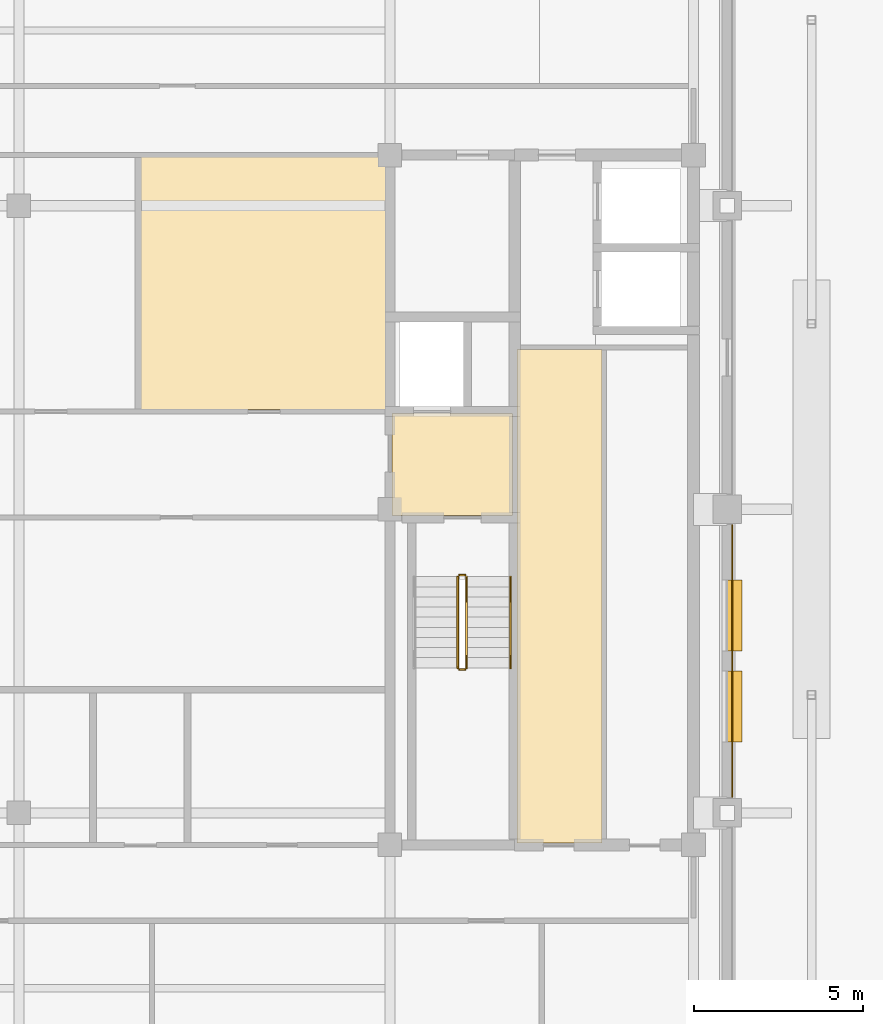
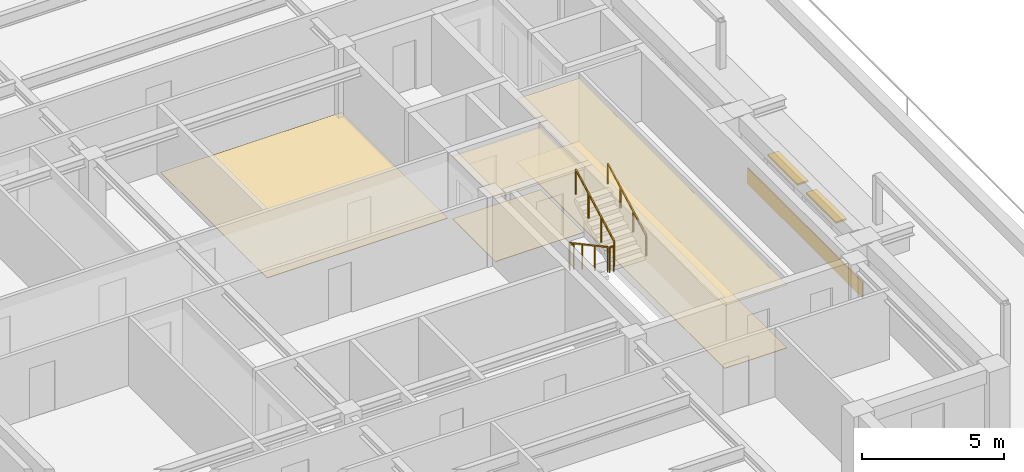
# One storey, part 13 of 14: 6 coverings, 5 railings, 2 shading devices.
"""IFC4 building model written with IfcOpenShell, lengths in metres."""

from ifc_helpers import new_model, si_unit, direction, frame, frame_2d, origin, origin_2d, place, context, subcontext, project, spatial, polyline, rectangle, outline, extrude, material, layer, layer_set, type_object, element, save


model = new_model("IFC4")

# Units and contexts
model_context = context("Model", 3, precision=1e-05, world=origin(), true_north=direction((0.0, 1.0)))
body_context = subcontext(model_context, "Body", "Model", "MODEL_VIEW")
ifc_project = project(units=[si_unit("LENGTHUNIT", "METRE"), si_unit("AREAUNIT", "SQUARE_METRE"), si_unit("VOLUMEUNIT", "CUBIC_METRE"), si_unit("PLANEANGLEUNIT", "RADIAN"), si_unit("MASSUNIT", "GRAM", prefix="KILO")], contexts=[model_context])

# Site, building, storey
site_placement = place(None, origin())
site = spatial("IfcSite", under=ifc_project, at=site_placement, CompositionType="ELEMENT")
building_placement = place(site_placement, origin())
building = spatial("IfcBuilding", under=site, at=building_placement, Name="Zulmaris Gate Convention Tower", CompositionType="ELEMENT")
storey_placement = place(building_placement, frame((0.0, 0.0, 254.429931640625)))
storey = spatial("IfcBuildingStorey", under=building, at=storey_placement, Name="L67", CompositionType="ELEMENT", Elevation=254.429931640625)

# Coverings
ifc_material_1 = material(Name="Precast concrete C40/50", Category="concrete")
ifc_layer_1 = layer(ifc_material_1, 0.0400390625, Name="Precast concrete C40/50")
ifc_layer_set_1 = layer_set([ifc_layer_1], Name="Precast concrete C40/50")
covering_type_1 = type_object("IfcCoveringType", Name="CLAD-SPANDREL-PRECAST", PredefinedType="CLADDING", material=ifc_layer_set_1)
covering_1_placement = place(storey_placement, frame((21.14990234375, -8.544921875, 0.0), z_axis=(0.0, 0.0, 1.0), x_axis=(0.0, 1.0, 0.0)))
element("IfcCovering", 1, at=covering_1_placement, inside=storey, type_object=covering_type_1, Name="CLD-L67-E-1_0", PredefinedType="CLADDING", context=body_context, shape_type="SweptSolid", body=[
    extrude(rectangle(XDim=8.08984375, YDim=0.0400390625, at=frame_2d((4.044921875, 0.0))), origin(), (0.0, 0.0, 1.0), 0.679931640625),
])
ifc_material_2 = material(Name="Mineral Fibre Acoustic Ceiling Tile")
ifc_layer_2 = layer(ifc_material_2, 0.02001953125, Name="Mineral Fibre Acoustic Ceiling Tile")
ifc_layer_set_2 = layer_set([ifc_layer_2], Name="Mineral Fibre Acoustic Ceiling Tile")
covering_type_2 = type_object("IfcCoveringType", Name="CLG-ACOUSTIC-600", PredefinedType="CEILING", material=ifc_layer_set_2)
covering_2_placement = place(storey_placement, frame((0.0, 0.0, 2.699951171875)))
element("IfcCovering", 2, at=covering_2_placement, inside=storey, type_object=covering_type_2, Name="CLG-L67-R08", PredefinedType="CEILING", context=body_context, shape_type="SweptSolid", body=[
    extrude(outline(polyline([(11.06005859375, -0.18994140625), (14.639892578125, -0.18994140625), (14.639892578125, 2.840087890625), (11.06005859375, 2.840087890625), (11.06005859375, -0.18994140625)])), origin(), (0.0, 0.0, 1.0), 0.02001953125),
])
covering_3_placement = place(storey_placement, frame((0.0, 0.0, 2.699951171875)))
element("IfcCovering", 3, at=covering_3_placement, inside=storey, type_object=covering_type_2, Name="CLG-L67-R24", PredefinedType="CEILING", context=body_context, shape_type="SweptSolid", body=[
    extrude(outline(polyline([(14.760009765625, -9.889892578125), (17.2900390625, -9.889892578125), (17.2900390625, 4.739990234375), (14.760009765625, 4.739990234375), (14.760009765625, -9.889892578125)])), origin(), (0.0, 0.0, 1.0), 0.02001953125),
])
ifc_material_3 = material(Name="Woven Acoustic Wool Carpet Tile")
ifc_layer_3 = layer(ifc_material_3, 0.02001953125, Name="Woven Acoustic Wool Carpet Tile")
ifc_layer_set_3 = layer_set([ifc_layer_3], Name="Woven Acoustic Wool Carpet Tile")
covering_type_3 = type_object("IfcCoveringType", Name="FLR-CARPET-12", PredefinedType="FLOORING", material=ifc_layer_set_3)
covering_4_placement = place(storey_placement, origin())
element("IfcCovering", 4, at=covering_4_placement, inside=storey, type_object=covering_type_3, Name="FLR-L67-R08", PredefinedType="FLOORING", context=body_context, shape_type="SweptSolid", body=[
    extrude(outline(polyline([(11.06005859375, -0.18994140625), (14.639892578125, -0.18994140625), (14.639892578125, 2.840087890625), (11.06005859375, 2.840087890625), (11.06005859375, -0.18994140625)])), origin(), (0.0, 0.0, 1.0), 0.02001953125),
])
covering_5_placement = place(storey_placement, origin())
element("IfcCovering", 5, at=covering_5_placement, inside=storey, type_object=covering_type_3, Name="FLR-L67-R24", PredefinedType="FLOORING", context=body_context, shape_type="SweptSolid", body=[
    extrude(outline(polyline([(14.760009765625, -9.889892578125), (17.2900390625, -9.889892578125), (17.2900390625, 4.739990234375), (14.760009765625, 4.739990234375), (14.760009765625, -9.889892578125)])), origin(), (0.0, 0.0, 1.0), 0.02001953125),
])
covering_6_placement = place(storey_placement, origin())
element("IfcCovering", 6, at=covering_6_placement, inside=storey, type_object=covering_type_3, Name="FLR-L67-R43", PredefinedType="FLOORING", context=body_context, shape_type="SweptSolid", body=[
    extrude(outline(polyline([(3.60009765625, 2.9599609375), (10.93994140625, 2.9599609375), (10.93994140625, 10.43994140625), (3.60009765625, 10.43994140625), (3.60009765625, 2.9599609375)])), origin(), (0.0, 0.0, 1.0), 0.02001953125),
])

# Railings
ifc_material_4 = material(Name="Painted Galvanised Steel", Category="steel")
railing_type_1 = type_object("IfcRailingType", Name="RL-STG-1150", PredefinedType="GUARDRAIL", material=ifc_material_4)
railing_1_placement = place(storey_placement, frame((13.010009765625, -2.0, 0.161376953125)))
element("IfcRailing", 7, at=railing_1_placement, inside=storey, type_object=railing_type_1, Name="L67 ST-2 stair guard 1", PredefinedType="GUARDRAIL", context=body_context, shape_type="SweptSolid", body=[
    extrude(rectangle(XDim=0.048095703125, YDim=0.048095703125, at=origin_2d()), frame((0.0, 0.0, 1.076171875), z_axis=(0.0, -0.880499220447, 0.474047595492), x_axis=(1.0, 0.0, 0.0)), (0.0, 0.0, 1.0), 3.06640625),
    extrude(rectangle(XDim=0.0419921875, YDim=0.0419921875, at=origin_2d()), origin(), (0.0, 0.0, 1.0), 1.052001953125),
    extrude(rectangle(XDim=0.0419921875, YDim=0.0419921875, at=origin_2d()), frame((0.0, -0.89990234375, 0.484619140625)), (0.0, 0.0, 1.0), 1.052001953125),
    extrude(rectangle(XDim=0.0419921875, YDim=0.0419921875, at=origin_2d()), frame((0.0, -1.800048828125, 0.968994140625)), (0.0, 0.0, 1.0), 1.052001953125),
    extrude(rectangle(XDim=0.0419921875, YDim=0.0419921875, at=origin_2d()), frame((0.0, -2.699951171875, 1.45361328125)), (0.0, 0.0, 1.0), 1.052001953125),
])
railing_2_placement = place(storey_placement, frame((13.06005859375, -4.75, 1.614990234375)))
element("IfcRailing", 8, at=railing_2_placement, inside=storey, type_object=railing_type_1, Name="L67 ST-2 stair guard 2", PredefinedType="GUARDRAIL", context=body_context, shape_type="SweptSolid", body=[
    extrude(rectangle(XDim=0.048095703125, YDim=0.048095703125, at=origin_2d()), frame((0.0, 0.0, 1.076171875), z_axis=(1.0, 0.0, 0.0), x_axis=(0.0, 1.0, 0.0)), (0.0, 0.0, 1.0), 0.159912109375),
    extrude(rectangle(XDim=0.0419921875, YDim=0.0419921875, at=origin_2d()), origin(), (0.0, 0.0, 1.0), 1.052001953125),
    extrude(rectangle(XDim=0.0419921875, YDim=0.0419921875, at=origin_2d()), frame((0.159912109375, 0.0, 0.0)), (0.0, 0.0, 1.0), 1.052001953125),
])
railing_3_placement = place(storey_placement, frame((13.27001953125, -4.699951171875, 1.7763671875)))
element("IfcRailing", 9, at=railing_3_placement, inside=storey, type_object=railing_type_1, Name="L67 ST-2 stair guard 3", PredefinedType="GUARDRAIL", context=body_context, shape_type="SweptSolid", body=[
    extrude(rectangle(XDim=0.048095703125, YDim=0.048095703125, at=origin_2d()), frame((0.0, 0.0, 1.076171875), z_axis=(0.0, 0.880499220447, 0.474047595492), x_axis=(-1.0, 0.0, 0.0)), (0.0, 0.0, 1.0), 3.06640625),
    extrude(rectangle(XDim=0.0419921875, YDim=0.0419921875, at=origin_2d()), origin(), (0.0, 0.0, 1.0), 1.052001953125),
    extrude(rectangle(XDim=0.0419921875, YDim=0.0419921875, at=origin_2d()), frame((0.0, 0.89990234375, 0.484619140625)), (0.0, 0.0, 1.0), 1.052001953125),
    extrude(rectangle(XDim=0.0419921875, YDim=0.0419921875, at=origin_2d()), frame((0.0, 1.800048828125, 0.968994140625)), (0.0, 0.0, 1.0), 1.052001953125),
    extrude(rectangle(XDim=0.0419921875, YDim=0.0419921875, at=origin_2d()), frame((0.0, 2.699951171875, 1.45361328125)), (0.0, 0.0, 1.0), 1.052001953125),
])
railing_4_placement = place(storey_placement, frame((13.06005859375, -1.949951171875, 0.0)))
element("IfcRailing", 10, at=railing_4_placement, inside=storey, type_object=railing_type_1, Name="L67 ST-2 stair guard 4", PredefinedType="GUARDRAIL", context=body_context, shape_type="SweptSolid", body=[
    extrude(rectangle(XDim=0.048095703125, YDim=0.048095703125, at=origin_2d()), frame((0.0, 0.0, 1.076171875), z_axis=(1.0, 0.0, 0.0), x_axis=(0.0, 1.0, 0.0)), (0.0, 0.0, 1.0), 0.159912109375),
    extrude(rectangle(XDim=0.0419921875, YDim=0.0419921875, at=origin_2d()), origin(), (0.0, 0.0, 1.0), 1.052001953125),
    extrude(rectangle(XDim=0.0419921875, YDim=0.0419921875, at=origin_2d()), frame((0.159912109375, 0.0, 0.0)), (0.0, 0.0, 1.0), 1.052001953125),
])
ifc_material_5 = material(Name="Brushed Stainless Steel", Category="steel")
railing_type_2 = type_object("IfcRailingType", Name="RL-STH-900", PredefinedType="HANDRAIL", material=ifc_material_5)
railing_5_placement = place(storey_placement, frame((14.570068359375, -4.699951171875, 1.7763671875)))
element("IfcRailing", 11, at=railing_5_placement, inside=storey, type_object=railing_type_2, Name="L67 ST-2 stair handrail 2", PredefinedType="HANDRAIL", context=body_context, shape_type="SweptSolid", body=[
    extrude(rectangle(XDim=0.048095703125, YDim=0.048095703125, at=origin_2d()), frame((0.0, 0.0, 0.8759765625), z_axis=(0.0, 0.880499220447, 0.474047595492), x_axis=(-1.0, 0.0, 0.0)), (0.0, 0.0, 1.0), 3.06640625),
    extrude(rectangle(XDim=0.0419921875, YDim=0.0419921875, at=origin_2d()), origin(), (0.0, 0.0, 1.0), 0.851806640625),
    extrude(rectangle(XDim=0.0419921875, YDim=0.0419921875, at=origin_2d()), frame((0.0, 0.89990234375, 0.484619140625)), (0.0, 0.0, 1.0), 0.851806640625),
    extrude(rectangle(XDim=0.0419921875, YDim=0.0419921875, at=origin_2d()), frame((0.0, 1.800048828125, 0.968994140625)), (0.0, 0.0, 1.0), 0.851806640625),
    extrude(rectangle(XDim=0.0419921875, YDim=0.0419921875, at=origin_2d()), frame((0.0, 2.699951171875, 1.45361328125)), (0.0, 0.0, 1.0), 0.851806640625),
])

# Shading devices
ifc_material_6 = material(Name="Glazed Ceramic Terracotta", Category="masonry")
ifc_layer_4 = layer(ifc_material_6, 0.070068359375, Name="Glazed Ceramic Terracotta")
ifc_layer_set_4 = layer_set([ifc_layer_4], Name="Glazed Ceramic Terracotta")
shading_device_type = type_object("IfcShadingDeviceType", Name="SHD-SUNSHADE-TC", PredefinedType="AWNING", material=ifc_layer_set_4)
for number, where, z_axis, x_axis, name in (
    (12, (21.219970703125, -6.89794921875, 2.22998046875), (0.0, 0.0, 1.0), (0.0, 1.0, 0.0), "SHD-EW-L67-E-1_0-1"),
    (13, (21.219970703125, -4.201904296875, 2.22998046875), (0.0, 0.0, 1.0), (0.0, 1.0, 0.0), "SHD-EW-L67-E-1_0-2"),
):
    element("IfcShadingDevice", number, at=place(storey_placement, frame(where, z_axis=z_axis, x_axis=x_axis)), inside=storey, type_object=shading_device_type, Name=name, PredefinedType="AWNING", context=body_context, shape_type="SweptSolid", body=[
        extrude(rectangle(XDim=2.099853515625, YDim=0.43994140625, at=frame_2d((1.0498046875, 0.0))), origin(), (0.0, 0.0, 1.0), 0.070068359375),
    ])

save(model, "model.ifc")
